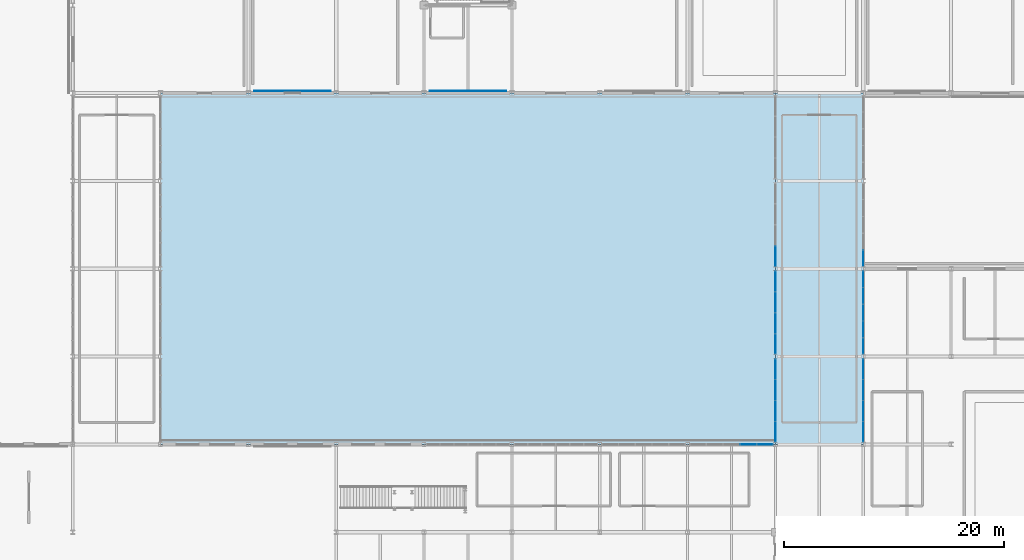
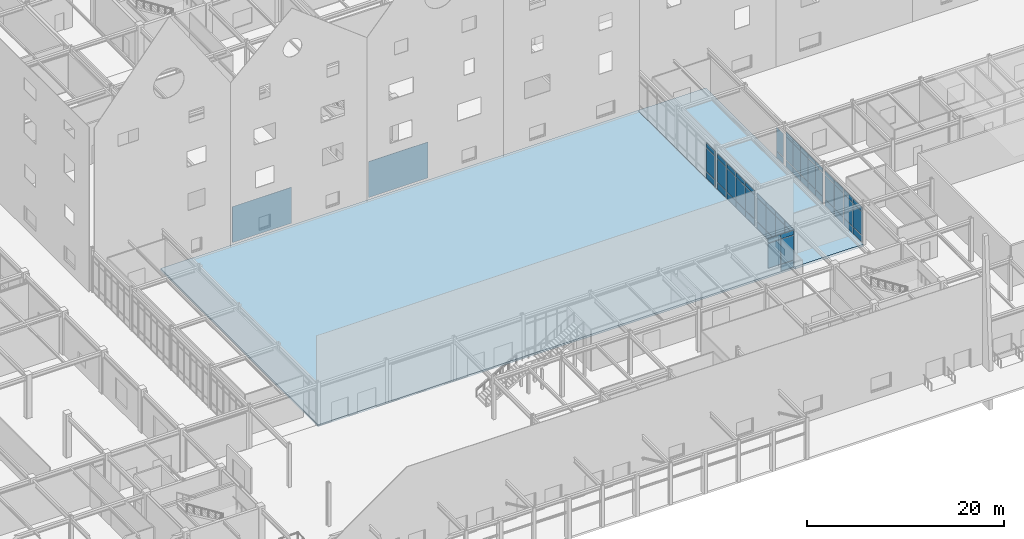
# One storey, part 61 of 119: 63 plates, 2 slabs, 7 elements without a shape of their own.
"""IFC4 building model written with IfcOpenShell, lengths in metres."""

from ifc_helpers import new_model, si_unit, direction, frame, origin, origin_2d, place, context, subcontext, project, spatial, polyline, rectangle, outline, extrude, material, layer, layer_set, type_object, element, aggregate, save


model = new_model("IFC4")

# Units and contexts
model_context = context("Model", 3, precision=1e-05, world=origin(), true_north=direction((0.0, 1.0)))
body_context = subcontext(model_context, "Body", "Model", "MODEL_VIEW")
ifc_project = project(units=[si_unit("LENGTHUNIT", "METRE"), si_unit("AREAUNIT", "SQUARE_METRE"), si_unit("VOLUMEUNIT", "CUBIC_METRE"), si_unit("PLANEANGLEUNIT", "RADIAN"), si_unit("MASSUNIT", "GRAM", prefix="KILO")], contexts=[model_context])

# Site, building, storey
site_placement = place(None, origin())
site = spatial("IfcSite", under=ifc_project, at=site_placement, CompositionType="ELEMENT")
building_placement = place(site_placement, origin())
building = spatial("IfcBuilding", under=site, at=building_placement, Name="Zhaolan Boulevard Law Courts", CompositionType="ELEMENT")
storey_placement = place(building_placement, origin())
storey = spatial("IfcBuildingStorey", under=building, at=storey_placement, Name="L00", CompositionType="ELEMENT", Elevation=0.0)

# Curtain wall, plates
ifc_material_1 = material(Name="Thermally broken aluminium and low-E glazing", Category="aluminium")
curtain_wall_type_1 = type_object("IfcCurtainWallType", Name="CURTAIN WALL M8", PredefinedType="USERDEFINED", material=ifc_material_1)
curtain_wall_1_placement = place(storey_placement, origin())
curtain_wall_1 = element("IfcCurtainWall", 1, at=curtain_wall_1_placement, inside=storey, type_object=curtain_wall_type_1, Name="Curtain Wall CW-L00-008", ObjectType="CURTAIN WALL", PredefinedType="USERDEFINED")
ifc_material_2 = material(Name="Acoustic laminated low-E glazing", Category="glass")
ifc_layer_1 = layer(ifc_material_2, 0.031982421875)
ifc_layer_set_1 = layer_set([ifc_layer_1])
plate_type_1 = type_object("IfcPlateType", Name="CWPANEL LOW E32", PredefinedType="CURTAIN_PANEL", material=ifc_layer_set_1)
plate_1_placement = place(storey_placement, frame((115.042236328125, 30.0, 0.06494140625), z_axis=(0.0, 0.0, 1.0), x_axis=(-1.0, 0.0, 0.0)))
plate_1 = element("IfcPlate", 2, at=plate_1_placement, type_object=plate_type_1, Name="CW-L00-008 panel 1.1", PredefinedType="CURTAIN_PANEL", context=body_context, shape_type="SweptSolid", body=[
    extrude(rectangle(XDim=1.431640625, YDim=0.031982421875, at=origin_2d()), origin(), (0.0, 0.0, 1.0), 0.802490234375),
])
plate_2_placement = place(storey_placement, frame((115.042236328125, 30.0, 0.9326171875), z_axis=(0.0, 0.0, 1.0), x_axis=(-1.0, 0.0, 0.0)))
plate_2 = element("IfcPlate", 3, at=plate_2_placement, type_object=plate_type_1, Name="CW-L00-008 panel 1.2", PredefinedType="CURTAIN_PANEL", context=body_context, shape_type="SweptSolid", body=[
    extrude(rectangle(XDim=1.431640625, YDim=0.031982421875, at=origin_2d()), origin(), (0.0, 0.0, 1.0), 3.068115234375),
])
plate_3_placement = place(storey_placement, frame((115.042236328125, 30.0, 4.0654296875), z_axis=(0.0, 0.0, 1.0), x_axis=(-1.0, 0.0, 0.0)))
plate_3 = element("IfcPlate", 4, at=plate_3_placement, type_object=plate_type_1, Name="CW-L00-008 panel 1.3", PredefinedType="CURTAIN_PANEL", context=body_context, shape_type="SweptSolid", body=[
    extrude(rectangle(XDim=1.431640625, YDim=0.031982421875, at=origin_2d()), origin(), (0.0, 0.0, 1.0), 0.552490234375),
])
plate_4_placement = place(storey_placement, frame((113.529296875, 30.0, 0.9326171875), z_axis=(0.0, 0.0, 1.0), x_axis=(-1.0, 0.0, 0.0)))
plate_4 = element("IfcPlate", 5, at=plate_4_placement, type_object=plate_type_1, Name="CW-L00-008 panel 2.2", PredefinedType="CURTAIN_PANEL", context=body_context, shape_type="SweptSolid", body=[
    extrude(rectangle(XDim=1.464111328125, YDim=0.031982421875, at=origin_2d()), origin(), (0.0, 0.0, 1.0), 3.068115234375),
])
plate_5_placement = place(storey_placement, frame((113.529296875, 30.0, 4.0654296875), z_axis=(0.0, 0.0, 1.0), x_axis=(-1.0, 0.0, 0.0)))
plate_5 = element("IfcPlate", 6, at=plate_5_placement, type_object=plate_type_1, Name="CW-L00-008 panel 2.3", PredefinedType="CURTAIN_PANEL", context=body_context, shape_type="SweptSolid", body=[
    extrude(rectangle(XDim=1.464111328125, YDim=0.031982421875, at=origin_2d()), origin(), (0.0, 0.0, 1.0), 0.552490234375),
])
aggregate(curtain_wall_1, [plate_1, plate_2, plate_3, plate_4, plate_5])

ifc_material_3 = material(Name="Thermally broken aluminium and low-E glazing", Category="aluminium")
curtain_wall_type_2 = type_object("IfcCurtainWallType", Name="CURTAIN WALL M20", PredefinedType="USERDEFINED", material=ifc_material_3)
curtain_wall_2_placement = place(storey_placement, origin())
curtain_wall_2 = element("IfcCurtainWall", 7, at=curtain_wall_2_placement, inside=storey, type_object=curtain_wall_type_2, Name="Curtain Wall CW-L00-020", ObjectType="CURTAIN WALL", PredefinedType="USERDEFINED")
plate_6_placement = place(storey_placement, frame((116.0, 36.85107421875, 0.06494140625), z_axis=(0.0, 0.0, 1.0), x_axis=(0.0, -1.0, 0.0)))
plate_6 = element("IfcPlate", 8, at=plate_6_placement, type_object=plate_type_1, Name="CW-L00-020 panel 1.1", PredefinedType="CURTAIN_PANEL", context=body_context, shape_type="SweptSolid", body=[
    extrude(rectangle(XDim=1.81396484375, YDim=0.031982421875, at=origin_2d()), origin(), (0.0, 0.0, 1.0), 0.802490234375),
])
plate_7_placement = place(storey_placement, frame((116.0, 36.85107421875, 0.9326171875), z_axis=(0.0, 0.0, 1.0), x_axis=(0.0, -1.0, 0.0)))
plate_7 = element("IfcPlate", 9, at=plate_7_placement, type_object=plate_type_1, Name="CW-L00-020 panel 1.2", PredefinedType="CURTAIN_PANEL", context=body_context, shape_type="SweptSolid", body=[
    extrude(rectangle(XDim=1.81396484375, YDim=0.031982421875, at=origin_2d()), origin(), (0.0, 0.0, 1.0), 2.91796875),
])
plate_8_placement = place(storey_placement, frame((116.0, 36.85107421875, 3.91552734375), z_axis=(0.0, 0.0, 1.0), x_axis=(0.0, -1.0, 0.0)))
plate_8 = element("IfcPlate", 10, at=plate_8_placement, type_object=plate_type_1, Name="CW-L00-020 panel 1.3", PredefinedType="CURTAIN_PANEL", context=body_context, shape_type="SweptSolid", body=[
    extrude(rectangle(XDim=1.81396484375, YDim=0.031982421875, at=origin_2d()), origin(), (0.0, 0.0, 1.0), 0.552490234375),
])
plate_9_placement = place(storey_placement, frame((116.0, 34.955810546875, 0.06494140625), z_axis=(0.0, 0.0, 1.0), x_axis=(0.0, -1.0, 0.0)))
plate_9 = element("IfcPlate", 11, at=plate_9_placement, type_object=plate_type_1, Name="CW-L00-020 panel 2.1", PredefinedType="CURTAIN_PANEL", context=body_context, shape_type="SweptSolid", body=[
    extrude(rectangle(XDim=1.846435546875, YDim=0.031982421875, at=origin_2d()), origin(), (0.0, 0.0, 1.0), 0.802490234375),
])
plate_10_placement = place(storey_placement, frame((116.0, 34.955810546875, 0.9326171875), z_axis=(0.0, 0.0, 1.0), x_axis=(0.0, -1.0, 0.0)))
plate_10 = element("IfcPlate", 12, at=plate_10_placement, type_object=plate_type_1, Name="CW-L00-020 panel 2.2", PredefinedType="CURTAIN_PANEL", context=body_context, shape_type="SweptSolid", body=[
    extrude(rectangle(XDim=1.846435546875, YDim=0.031982421875, at=origin_2d()), origin(), (0.0, 0.0, 1.0), 2.91796875),
])
plate_11_placement = place(storey_placement, frame((116.0, 34.955810546875, 3.91552734375), z_axis=(0.0, 0.0, 1.0), x_axis=(0.0, -1.0, 0.0)))
plate_11 = element("IfcPlate", 13, at=plate_11_placement, type_object=plate_type_1, Name="CW-L00-020 panel 2.3", PredefinedType="CURTAIN_PANEL", context=body_context, shape_type="SweptSolid", body=[
    extrude(rectangle(XDim=1.846435546875, YDim=0.031982421875, at=origin_2d()), origin(), (0.0, 0.0, 1.0), 0.552490234375),
])
plate_12_placement = place(storey_placement, frame((116.0, 33.044189453125, 0.06494140625), z_axis=(0.0, 0.0, 1.0), x_axis=(0.0, -1.0, 0.0)))
plate_12 = element("IfcPlate", 14, at=plate_12_placement, type_object=plate_type_1, Name="CW-L00-020 panel 3.1", PredefinedType="CURTAIN_PANEL", context=body_context, shape_type="SweptSolid", body=[
    extrude(rectangle(XDim=1.846435546875, YDim=0.031982421875, at=origin_2d()), origin(), (0.0, 0.0, 1.0), 0.802490234375),
])
plate_13_placement = place(storey_placement, frame((116.0, 33.044189453125, 0.9326171875), z_axis=(0.0, 0.0, 1.0), x_axis=(0.0, -1.0, 0.0)))
plate_13 = element("IfcPlate", 15, at=plate_13_placement, type_object=plate_type_1, Name="CW-L00-020 panel 3.2", PredefinedType="CURTAIN_PANEL", context=body_context, shape_type="SweptSolid", body=[
    extrude(rectangle(XDim=1.846435546875, YDim=0.031982421875, at=origin_2d()), origin(), (0.0, 0.0, 1.0), 2.91796875),
])
plate_14_placement = place(storey_placement, frame((116.0, 33.044189453125, 3.91552734375), z_axis=(0.0, 0.0, 1.0), x_axis=(0.0, -1.0, 0.0)))
plate_14 = element("IfcPlate", 16, at=plate_14_placement, type_object=plate_type_1, Name="CW-L00-020 panel 3.3", PredefinedType="CURTAIN_PANEL", context=body_context, shape_type="SweptSolid", body=[
    extrude(rectangle(XDim=1.846435546875, YDim=0.031982421875, at=origin_2d()), origin(), (0.0, 0.0, 1.0), 0.552490234375),
])
plate_15_placement = place(storey_placement, frame((116.0, 31.14892578125, 0.06494140625), z_axis=(0.0, 0.0, 1.0), x_axis=(0.0, -1.0, 0.0)))
plate_15 = element("IfcPlate", 17, at=plate_15_placement, type_object=plate_type_1, Name="CW-L00-020 panel 4.1", PredefinedType="CURTAIN_PANEL", context=body_context, shape_type="SweptSolid", body=[
    extrude(rectangle(XDim=1.81396484375, YDim=0.031982421875, at=origin_2d()), origin(), (0.0, 0.0, 1.0), 0.802490234375),
])
plate_16_placement = place(storey_placement, frame((116.0, 31.14892578125, 0.9326171875), z_axis=(0.0, 0.0, 1.0), x_axis=(0.0, -1.0, 0.0)))
plate_16 = element("IfcPlate", 18, at=plate_16_placement, type_object=plate_type_1, Name="CW-L00-020 panel 4.2", PredefinedType="CURTAIN_PANEL", context=body_context, shape_type="SweptSolid", body=[
    extrude(rectangle(XDim=1.81396484375, YDim=0.031982421875, at=origin_2d()), origin(), (0.0, 0.0, 1.0), 2.91796875),
])
plate_17_placement = place(storey_placement, frame((116.0, 31.14892578125, 3.91552734375), z_axis=(0.0, 0.0, 1.0), x_axis=(0.0, -1.0, 0.0)))
plate_17 = element("IfcPlate", 19, at=plate_17_placement, type_object=plate_type_1, Name="CW-L00-020 panel 4.3", PredefinedType="CURTAIN_PANEL", context=body_context, shape_type="SweptSolid", body=[
    extrude(rectangle(XDim=1.81396484375, YDim=0.031982421875, at=origin_2d()), origin(), (0.0, 0.0, 1.0), 0.552490234375),
])
aggregate(curtain_wall_2, [plate_6, plate_7, plate_8, plate_9, plate_10, plate_11, plate_12, plate_13, plate_14, plate_15, plate_16, plate_17])

ifc_material_4 = material(Name="Thermally broken aluminium and low-E glazing", Category="aluminium")
curtain_wall_type_3 = type_object("IfcCurtainWallType", Name="CURTAIN WALL M21", PredefinedType="USERDEFINED", material=ifc_material_4)
curtain_wall_3_placement = place(storey_placement, origin())
curtain_wall_3 = element("IfcCurtainWall", 20, at=curtain_wall_3_placement, inside=storey, type_object=curtain_wall_type_3, Name="Curtain Wall CW-L00-021", ObjectType="CURTAIN WALL", PredefinedType="USERDEFINED")
plate_18_placement = place(storey_placement, frame((116.0, 44.85107421875, 0.06494140625), z_axis=(0.0, 0.0, 1.0), x_axis=(0.0, -1.0, 0.0)))
plate_18 = element("IfcPlate", 21, at=plate_18_placement, type_object=plate_type_1, Name="CW-L00-021 panel 1.1", PredefinedType="CURTAIN_PANEL", context=body_context, shape_type="SweptSolid", body=[
    extrude(rectangle(XDim=1.81396484375, YDim=0.031982421875, at=origin_2d()), origin(), (0.0, 0.0, 1.0), 0.802490234375),
])
plate_19_placement = place(storey_placement, frame((116.0, 44.85107421875, 0.9326171875), z_axis=(0.0, 0.0, 1.0), x_axis=(0.0, -1.0, 0.0)))
plate_19 = element("IfcPlate", 22, at=plate_19_placement, type_object=plate_type_1, Name="CW-L00-021 panel 1.2", PredefinedType="CURTAIN_PANEL", context=body_context, shape_type="SweptSolid", body=[
    extrude(rectangle(XDim=1.81396484375, YDim=0.031982421875, at=origin_2d()), origin(), (0.0, 0.0, 1.0), 2.91796875),
])
plate_20_placement = place(storey_placement, frame((116.0, 44.85107421875, 3.91552734375), z_axis=(0.0, 0.0, 1.0), x_axis=(0.0, -1.0, 0.0)))
plate_20 = element("IfcPlate", 23, at=plate_20_placement, type_object=plate_type_1, Name="CW-L00-021 panel 1.3", PredefinedType="CURTAIN_PANEL", context=body_context, shape_type="SweptSolid", body=[
    extrude(rectangle(XDim=1.81396484375, YDim=0.031982421875, at=origin_2d()), origin(), (0.0, 0.0, 1.0), 0.552490234375),
])
plate_21_placement = place(storey_placement, frame((116.0, 42.955810546875, 0.06494140625), z_axis=(0.0, 0.0, 1.0), x_axis=(0.0, -1.0, 0.0)))
plate_21 = element("IfcPlate", 24, at=plate_21_placement, type_object=plate_type_1, Name="CW-L00-021 panel 2.1", PredefinedType="CURTAIN_PANEL", context=body_context, shape_type="SweptSolid", body=[
    extrude(rectangle(XDim=1.846435546875, YDim=0.031982421875, at=origin_2d()), origin(), (0.0, 0.0, 1.0), 0.802490234375),
])
plate_22_placement = place(storey_placement, frame((116.0, 42.955810546875, 0.9326171875), z_axis=(0.0, 0.0, 1.0), x_axis=(0.0, -1.0, 0.0)))
plate_22 = element("IfcPlate", 25, at=plate_22_placement, type_object=plate_type_1, Name="CW-L00-021 panel 2.2", PredefinedType="CURTAIN_PANEL", context=body_context, shape_type="SweptSolid", body=[
    extrude(rectangle(XDim=1.846435546875, YDim=0.031982421875, at=origin_2d()), origin(), (0.0, 0.0, 1.0), 2.91796875),
])
plate_23_placement = place(storey_placement, frame((116.0, 42.955810546875, 3.91552734375), z_axis=(0.0, 0.0, 1.0), x_axis=(0.0, -1.0, 0.0)))
plate_23 = element("IfcPlate", 26, at=plate_23_placement, type_object=plate_type_1, Name="CW-L00-021 panel 2.3", PredefinedType="CURTAIN_PANEL", context=body_context, shape_type="SweptSolid", body=[
    extrude(rectangle(XDim=1.846435546875, YDim=0.031982421875, at=origin_2d()), origin(), (0.0, 0.0, 1.0), 0.552490234375),
])
plate_24_placement = place(storey_placement, frame((116.0, 41.044189453125, 0.06494140625), z_axis=(0.0, 0.0, 1.0), x_axis=(0.0, -1.0, 0.0)))
plate_24 = element("IfcPlate", 27, at=plate_24_placement, type_object=plate_type_1, Name="CW-L00-021 panel 3.1", PredefinedType="CURTAIN_PANEL", context=body_context, shape_type="SweptSolid", body=[
    extrude(rectangle(XDim=1.846435546875, YDim=0.031982421875, at=origin_2d()), origin(), (0.0, 0.0, 1.0), 0.802490234375),
])
plate_25_placement = place(storey_placement, frame((116.0, 41.044189453125, 0.9326171875), z_axis=(0.0, 0.0, 1.0), x_axis=(0.0, -1.0, 0.0)))
plate_25 = element("IfcPlate", 28, at=plate_25_placement, type_object=plate_type_1, Name="CW-L00-021 panel 3.2", PredefinedType="CURTAIN_PANEL", context=body_context, shape_type="SweptSolid", body=[
    extrude(rectangle(XDim=1.846435546875, YDim=0.031982421875, at=origin_2d()), origin(), (0.0, 0.0, 1.0), 2.91796875),
])
plate_26_placement = place(storey_placement, frame((116.0, 41.044189453125, 3.91552734375), z_axis=(0.0, 0.0, 1.0), x_axis=(0.0, -1.0, 0.0)))
plate_26 = element("IfcPlate", 29, at=plate_26_placement, type_object=plate_type_1, Name="CW-L00-021 panel 3.3", PredefinedType="CURTAIN_PANEL", context=body_context, shape_type="SweptSolid", body=[
    extrude(rectangle(XDim=1.846435546875, YDim=0.031982421875, at=origin_2d()), origin(), (0.0, 0.0, 1.0), 0.552490234375),
])
plate_27_placement = place(storey_placement, frame((116.0, 39.14892578125, 0.06494140625), z_axis=(0.0, 0.0, 1.0), x_axis=(0.0, -1.0, 0.0)))
plate_27 = element("IfcPlate", 30, at=plate_27_placement, type_object=plate_type_1, Name="CW-L00-021 panel 4.1", PredefinedType="CURTAIN_PANEL", context=body_context, shape_type="SweptSolid", body=[
    extrude(rectangle(XDim=1.81396484375, YDim=0.031982421875, at=origin_2d()), origin(), (0.0, 0.0, 1.0), 0.802490234375),
])
plate_28_placement = place(storey_placement, frame((116.0, 39.14892578125, 0.9326171875), z_axis=(0.0, 0.0, 1.0), x_axis=(0.0, -1.0, 0.0)))
plate_28 = element("IfcPlate", 31, at=plate_28_placement, type_object=plate_type_1, Name="CW-L00-021 panel 4.2", PredefinedType="CURTAIN_PANEL", context=body_context, shape_type="SweptSolid", body=[
    extrude(rectangle(XDim=1.81396484375, YDim=0.031982421875, at=origin_2d()), origin(), (0.0, 0.0, 1.0), 2.91796875),
])
plate_29_placement = place(storey_placement, frame((116.0, 39.14892578125, 3.91552734375), z_axis=(0.0, 0.0, 1.0), x_axis=(0.0, -1.0, 0.0)))
plate_29 = element("IfcPlate", 32, at=plate_29_placement, type_object=plate_type_1, Name="CW-L00-021 panel 4.3", PredefinedType="CURTAIN_PANEL", context=body_context, shape_type="SweptSolid", body=[
    extrude(rectangle(XDim=1.81396484375, YDim=0.031982421875, at=origin_2d()), origin(), (0.0, 0.0, 1.0), 0.552490234375),
])
aggregate(curtain_wall_3, [plate_18, plate_19, plate_20, plate_21, plate_22, plate_23, plate_24, plate_25, plate_26, plate_27, plate_28, plate_29])

ifc_material_5 = material(Name="Thermally broken aluminium and low-E glazing", Category="aluminium")
curtain_wall_type_4 = type_object("IfcCurtainWallType", Name="CURTAIN WALL M22", PredefinedType="USERDEFINED", material=ifc_material_5)
curtain_wall_4_placement = place(storey_placement, origin())
curtain_wall_4 = element("IfcCurtainWall", 33, at=curtain_wall_4_placement, inside=storey, type_object=curtain_wall_type_4, Name="Curtain Wall CW-L00-022", ObjectType="CURTAIN WALL", PredefinedType="USERDEFINED")
plate_30_placement = place(storey_placement, frame((116.0, 47.14892578125, 0.06494140625), z_axis=(0.0, 0.0, 1.0), x_axis=(0.0, -1.0, 0.0)))
plate_30 = element("IfcPlate", 34, at=plate_30_placement, type_object=plate_type_1, Name="CW-L00-022 panel 4.1", PredefinedType="CURTAIN_PANEL", context=body_context, shape_type="SweptSolid", body=[
    extrude(rectangle(XDim=1.81396484375, YDim=0.031982421875, at=origin_2d()), origin(), (0.0, 0.0, 1.0), 0.802490234375),
])
plate_31_placement = place(storey_placement, frame((116.0, 47.14892578125, 0.9326171875), z_axis=(0.0, 0.0, 1.0), x_axis=(0.0, -1.0, 0.0)))
plate_31 = element("IfcPlate", 35, at=plate_31_placement, type_object=plate_type_1, Name="CW-L00-022 panel 4.2", PredefinedType="CURTAIN_PANEL", context=body_context, shape_type="SweptSolid", body=[
    extrude(rectangle(XDim=1.81396484375, YDim=0.031982421875, at=origin_2d()), origin(), (0.0, 0.0, 1.0), 2.91796875),
])
plate_32_placement = place(storey_placement, frame((116.0, 47.14892578125, 3.91552734375), z_axis=(0.0, 0.0, 1.0), x_axis=(0.0, -1.0, 0.0)))
plate_32 = element("IfcPlate", 36, at=plate_32_placement, type_object=plate_type_1, Name="CW-L00-022 panel 4.3", PredefinedType="CURTAIN_PANEL", context=body_context, shape_type="SweptSolid", body=[
    extrude(rectangle(XDim=1.81396484375, YDim=0.031982421875, at=origin_2d()), origin(), (0.0, 0.0, 1.0), 0.552490234375),
])
aggregate(curtain_wall_4, [plate_30, plate_31, plate_32])

ifc_material_6 = material(Name="Thermally broken aluminium and low-E glazing", Category="aluminium")
curtain_wall_type_5 = type_object("IfcCurtainWallType", Name="CURTAIN WALL M24", PredefinedType="USERDEFINED", material=ifc_material_6)
curtain_wall_5_placement = place(storey_placement, origin())
curtain_wall_5 = element("IfcCurtainWall", 37, at=curtain_wall_5_placement, inside=storey, type_object=curtain_wall_type_5, Name="Curtain Wall CW-L00-024", ObjectType="CURTAIN WALL", PredefinedType="USERDEFINED")
plate_33_placement = place(storey_placement, frame((124.0, 31.14892578125, 0.06494140625), z_axis=(0.0, 0.0, 1.0), x_axis=(0.0, 1.0, 0.0)))
plate_33 = element("IfcPlate", 38, at=plate_33_placement, type_object=plate_type_1, Name="CW-L00-024 panel 1.1", PredefinedType="CURTAIN_PANEL", context=body_context, shape_type="SweptSolid", body=[
    extrude(rectangle(XDim=1.81396484375, YDim=0.031982421875, at=origin_2d()), origin(), (0.0, 0.0, 1.0), 0.802490234375),
])
plate_34_placement = place(storey_placement, frame((124.0, 31.14892578125, 0.9326171875), z_axis=(0.0, 0.0, 1.0), x_axis=(0.0, 1.0, 0.0)))
plate_34 = element("IfcPlate", 39, at=plate_34_placement, type_object=plate_type_1, Name="CW-L00-024 panel 1.2", PredefinedType="CURTAIN_PANEL", context=body_context, shape_type="SweptSolid", body=[
    extrude(rectangle(XDim=1.81396484375, YDim=0.031982421875, at=origin_2d()), origin(), (0.0, 0.0, 1.0), 2.887939453125),
])
plate_35_placement = place(storey_placement, frame((124.0, 31.14892578125, 3.8857421875), z_axis=(0.0, 0.0, 1.0), x_axis=(0.0, 1.0, 0.0)))
plate_35 = element("IfcPlate", 40, at=plate_35_placement, type_object=plate_type_1, Name="CW-L00-024 panel 1.3", PredefinedType="CURTAIN_PANEL", context=body_context, shape_type="SweptSolid", body=[
    extrude(rectangle(XDim=1.81396484375, YDim=0.031982421875, at=origin_2d()), origin(), (0.0, 0.0, 1.0), 0.552490234375),
])
plate_36_placement = place(storey_placement, frame((124.0, 33.044189453125, 0.06494140625), z_axis=(0.0, 0.0, 1.0), x_axis=(0.0, 1.0, 0.0)))
plate_36 = element("IfcPlate", 41, at=plate_36_placement, type_object=plate_type_1, Name="CW-L00-024 panel 2.1", PredefinedType="CURTAIN_PANEL", context=body_context, shape_type="SweptSolid", body=[
    extrude(rectangle(XDim=1.846435546875, YDim=0.031982421875, at=origin_2d()), origin(), (0.0, 0.0, 1.0), 0.802490234375),
])
plate_37_placement = place(storey_placement, frame((124.0, 33.044189453125, 0.9326171875), z_axis=(0.0, 0.0, 1.0), x_axis=(0.0, 1.0, 0.0)))
plate_37 = element("IfcPlate", 42, at=plate_37_placement, type_object=plate_type_1, Name="CW-L00-024 panel 2.2", PredefinedType="CURTAIN_PANEL", context=body_context, shape_type="SweptSolid", body=[
    extrude(rectangle(XDim=1.846435546875, YDim=0.031982421875, at=origin_2d()), origin(), (0.0, 0.0, 1.0), 2.887939453125),
])
plate_38_placement = place(storey_placement, frame((124.0, 33.044189453125, 3.8857421875), z_axis=(0.0, 0.0, 1.0), x_axis=(0.0, 1.0, 0.0)))
plate_38 = element("IfcPlate", 43, at=plate_38_placement, type_object=plate_type_1, Name="CW-L00-024 panel 2.3", PredefinedType="CURTAIN_PANEL", context=body_context, shape_type="SweptSolid", body=[
    extrude(rectangle(XDim=1.846435546875, YDim=0.031982421875, at=origin_2d()), origin(), (0.0, 0.0, 1.0), 0.552490234375),
])
plate_39_placement = place(storey_placement, frame((124.0, 34.955810546875, 0.06494140625), z_axis=(0.0, 0.0, 1.0), x_axis=(0.0, 1.0, 0.0)))
plate_39 = element("IfcPlate", 44, at=plate_39_placement, type_object=plate_type_1, Name="CW-L00-024 panel 3.1", PredefinedType="CURTAIN_PANEL", context=body_context, shape_type="SweptSolid", body=[
    extrude(rectangle(XDim=1.846435546875, YDim=0.031982421875, at=origin_2d()), origin(), (0.0, 0.0, 1.0), 0.802490234375),
])
plate_40_placement = place(storey_placement, frame((124.0, 34.955810546875, 0.9326171875), z_axis=(0.0, 0.0, 1.0), x_axis=(0.0, 1.0, 0.0)))
plate_40 = element("IfcPlate", 45, at=plate_40_placement, type_object=plate_type_1, Name="CW-L00-024 panel 3.2", PredefinedType="CURTAIN_PANEL", context=body_context, shape_type="SweptSolid", body=[
    extrude(rectangle(XDim=1.846435546875, YDim=0.031982421875, at=origin_2d()), origin(), (0.0, 0.0, 1.0), 2.887939453125),
])
plate_41_placement = place(storey_placement, frame((124.0, 34.955810546875, 3.8857421875), z_axis=(0.0, 0.0, 1.0), x_axis=(0.0, 1.0, 0.0)))
plate_41 = element("IfcPlate", 46, at=plate_41_placement, type_object=plate_type_1, Name="CW-L00-024 panel 3.3", PredefinedType="CURTAIN_PANEL", context=body_context, shape_type="SweptSolid", body=[
    extrude(rectangle(XDim=1.846435546875, YDim=0.031982421875, at=origin_2d()), origin(), (0.0, 0.0, 1.0), 0.552490234375),
])
plate_42_placement = place(storey_placement, frame((124.0, 36.85107421875, 0.06494140625), z_axis=(0.0, 0.0, 1.0), x_axis=(0.0, 1.0, 0.0)))
plate_42 = element("IfcPlate", 47, at=plate_42_placement, type_object=plate_type_1, Name="CW-L00-024 panel 4.1", PredefinedType="CURTAIN_PANEL", context=body_context, shape_type="SweptSolid", body=[
    extrude(rectangle(XDim=1.81396484375, YDim=0.031982421875, at=origin_2d()), origin(), (0.0, 0.0, 1.0), 0.802490234375),
])
plate_43_placement = place(storey_placement, frame((124.0, 36.85107421875, 0.9326171875), z_axis=(0.0, 0.0, 1.0), x_axis=(0.0, 1.0, 0.0)))
plate_43 = element("IfcPlate", 48, at=plate_43_placement, type_object=plate_type_1, Name="CW-L00-024 panel 4.2", PredefinedType="CURTAIN_PANEL", context=body_context, shape_type="SweptSolid", body=[
    extrude(rectangle(XDim=1.81396484375, YDim=0.031982421875, at=origin_2d()), origin(), (0.0, 0.0, 1.0), 2.887939453125),
])
plate_44_placement = place(storey_placement, frame((124.0, 36.85107421875, 3.8857421875), z_axis=(0.0, 0.0, 1.0), x_axis=(0.0, 1.0, 0.0)))
plate_44 = element("IfcPlate", 49, at=plate_44_placement, type_object=plate_type_1, Name="CW-L00-024 panel 4.3", PredefinedType="CURTAIN_PANEL", context=body_context, shape_type="SweptSolid", body=[
    extrude(rectangle(XDim=1.81396484375, YDim=0.031982421875, at=origin_2d()), origin(), (0.0, 0.0, 1.0), 0.552490234375),
])
aggregate(curtain_wall_5, [plate_33, plate_34, plate_35, plate_36, plate_37, plate_38, plate_39, plate_40, plate_41, plate_42, plate_43, plate_44])

ifc_material_7 = material(Name="Thermally broken aluminium and low-E glazing", Category="aluminium")
curtain_wall_type_6 = type_object("IfcCurtainWallType", Name="CURTAIN WALL M1", PredefinedType="USERDEFINED", material=ifc_material_7)
curtain_wall_6_placement = place(storey_placement, origin())
curtain_wall_6 = element("IfcCurtainWall", 50, at=curtain_wall_6_placement, inside=storey, type_object=curtain_wall_type_6, Name="Curtain Wall CW-L00-025", ObjectType="CURTAIN WALL", PredefinedType="USERDEFINED")
plate_45_placement = place(storey_placement, frame((124.0, 38.957763671875, 0.06494140625), z_axis=(0.0, 0.0, 1.0), x_axis=(0.0, 1.0, 0.0)))
plate_45 = element("IfcPlate", 51, at=plate_45_placement, type_object=plate_type_1, Name="CW-L00-025 panel 1.1", PredefinedType="CURTAIN_PANEL", context=body_context, shape_type="SweptSolid", body=[
    extrude(rectangle(XDim=1.431640625, YDim=0.031982421875, at=origin_2d()), origin(), (0.0, 0.0, 1.0), 0.802490234375),
])
plate_46_placement = place(storey_placement, frame((124.0, 38.957763671875, 0.9326171875), z_axis=(0.0, 0.0, 1.0), x_axis=(0.0, 1.0, 0.0)))
plate_46 = element("IfcPlate", 52, at=plate_46_placement, type_object=plate_type_1, Name="CW-L00-025 panel 1.2", PredefinedType="CURTAIN_PANEL", context=body_context, shape_type="SweptSolid", body=[
    extrude(rectangle(XDim=1.431640625, YDim=0.031982421875, at=origin_2d()), origin(), (0.0, 0.0, 1.0), 2.887939453125),
])
plate_47_placement = place(storey_placement, frame((124.0, 38.957763671875, 3.8857421875), z_axis=(0.0, 0.0, 1.0), x_axis=(0.0, 1.0, 0.0)))
plate_47 = element("IfcPlate", 53, at=plate_47_placement, type_object=plate_type_1, Name="CW-L00-025 panel 1.3", PredefinedType="CURTAIN_PANEL", context=body_context, shape_type="SweptSolid", body=[
    extrude(rectangle(XDim=1.431640625, YDim=0.031982421875, at=origin_2d()), origin(), (0.0, 0.0, 1.0), 0.552490234375),
])
plate_48_placement = place(storey_placement, frame((124.0, 40.470703125, 0.06494140625), z_axis=(0.0, 0.0, 1.0), x_axis=(0.0, 1.0, 0.0)))
plate_48 = element("IfcPlate", 54, at=plate_48_placement, type_object=plate_type_1, Name="CW-L00-025 panel 2.1", PredefinedType="CURTAIN_PANEL", context=body_context, shape_type="SweptSolid", body=[
    extrude(rectangle(XDim=1.464111328125, YDim=0.031982421875, at=origin_2d()), origin(), (0.0, 0.0, 1.0), 0.802490234375),
])
plate_49_placement = place(storey_placement, frame((124.0, 40.470703125, 0.9326171875), z_axis=(0.0, 0.0, 1.0), x_axis=(0.0, 1.0, 0.0)))
plate_49 = element("IfcPlate", 55, at=plate_49_placement, type_object=plate_type_1, Name="CW-L00-025 panel 2.2", PredefinedType="CURTAIN_PANEL", context=body_context, shape_type="SweptSolid", body=[
    extrude(rectangle(XDim=1.464111328125, YDim=0.031982421875, at=origin_2d()), origin(), (0.0, 0.0, 1.0), 2.887939453125),
])
plate_50_placement = place(storey_placement, frame((124.0, 40.470703125, 3.8857421875), z_axis=(0.0, 0.0, 1.0), x_axis=(0.0, 1.0, 0.0)))
plate_50 = element("IfcPlate", 56, at=plate_50_placement, type_object=plate_type_1, Name="CW-L00-025 panel 2.3", PredefinedType="CURTAIN_PANEL", context=body_context, shape_type="SweptSolid", body=[
    extrude(rectangle(XDim=1.464111328125, YDim=0.031982421875, at=origin_2d()), origin(), (0.0, 0.0, 1.0), 0.552490234375),
])
plate_51_placement = place(storey_placement, frame((124.0, 42.0, 0.06494140625), z_axis=(0.0, 0.0, 1.0), x_axis=(0.0, 1.0, 0.0)))
plate_51 = element("IfcPlate", 57, at=plate_51_placement, type_object=plate_type_1, Name="CW-L00-025 panel 3.1", PredefinedType="CURTAIN_PANEL", context=body_context, shape_type="SweptSolid", body=[
    extrude(rectangle(XDim=1.464111328125, YDim=0.031982421875, at=origin_2d()), origin(), (0.0, 0.0, 1.0), 0.802490234375),
])
plate_52_placement = place(storey_placement, frame((124.0, 42.0, 0.9326171875), z_axis=(0.0, 0.0, 1.0), x_axis=(0.0, 1.0, 0.0)))
plate_52 = element("IfcPlate", 58, at=plate_52_placement, type_object=plate_type_1, Name="CW-L00-025 panel 3.2", PredefinedType="CURTAIN_PANEL", context=body_context, shape_type="SweptSolid", body=[
    extrude(rectangle(XDim=1.464111328125, YDim=0.031982421875, at=origin_2d()), origin(), (0.0, 0.0, 1.0), 2.887939453125),
])
plate_53_placement = place(storey_placement, frame((124.0, 42.0, 3.8857421875), z_axis=(0.0, 0.0, 1.0), x_axis=(0.0, 1.0, 0.0)))
plate_53 = element("IfcPlate", 59, at=plate_53_placement, type_object=plate_type_1, Name="CW-L00-025 panel 3.3", PredefinedType="CURTAIN_PANEL", context=body_context, shape_type="SweptSolid", body=[
    extrude(rectangle(XDim=1.464111328125, YDim=0.031982421875, at=origin_2d()), origin(), (0.0, 0.0, 1.0), 0.552490234375),
])
plate_54_placement = place(storey_placement, frame((124.0, 43.529296875, 0.06494140625), z_axis=(0.0, 0.0, 1.0), x_axis=(0.0, 1.0, 0.0)))
plate_54 = element("IfcPlate", 60, at=plate_54_placement, type_object=plate_type_1, Name="CW-L00-025 panel 4.1", PredefinedType="CURTAIN_PANEL", context=body_context, shape_type="SweptSolid", body=[
    extrude(rectangle(XDim=1.464111328125, YDim=0.031982421875, at=origin_2d()), origin(), (0.0, 0.0, 1.0), 0.802490234375),
])
plate_55_placement = place(storey_placement, frame((124.0, 43.529296875, 0.9326171875), z_axis=(0.0, 0.0, 1.0), x_axis=(0.0, 1.0, 0.0)))
plate_55 = element("IfcPlate", 61, at=plate_55_placement, type_object=plate_type_1, Name="CW-L00-025 panel 4.2", PredefinedType="CURTAIN_PANEL", context=body_context, shape_type="SweptSolid", body=[
    extrude(rectangle(XDim=1.464111328125, YDim=0.031982421875, at=origin_2d()), origin(), (0.0, 0.0, 1.0), 2.887939453125),
])
plate_56_placement = place(storey_placement, frame((124.0, 43.529296875, 3.8857421875), z_axis=(0.0, 0.0, 1.0), x_axis=(0.0, 1.0, 0.0)))
plate_56 = element("IfcPlate", 62, at=plate_56_placement, type_object=plate_type_1, Name="CW-L00-025 panel 4.3", PredefinedType="CURTAIN_PANEL", context=body_context, shape_type="SweptSolid", body=[
    extrude(rectangle(XDim=1.464111328125, YDim=0.031982421875, at=origin_2d()), origin(), (0.0, 0.0, 1.0), 0.552490234375),
])
plate_57_placement = place(storey_placement, frame((124.0, 45.042236328125, 0.06494140625), z_axis=(0.0, 0.0, 1.0), x_axis=(0.0, 1.0, 0.0)))
plate_57 = element("IfcPlate", 63, at=plate_57_placement, type_object=plate_type_1, Name="CW-L00-025 panel 5.1", PredefinedType="CURTAIN_PANEL", context=body_context, shape_type="SweptSolid", body=[
    extrude(rectangle(XDim=1.431640625, YDim=0.031982421875, at=origin_2d()), origin(), (0.0, 0.0, 1.0), 0.802490234375),
])
plate_58_placement = place(storey_placement, frame((124.0, 45.042236328125, 0.9326171875), z_axis=(0.0, 0.0, 1.0), x_axis=(0.0, 1.0, 0.0)))
plate_58 = element("IfcPlate", 64, at=plate_58_placement, type_object=plate_type_1, Name="CW-L00-025 panel 5.2", PredefinedType="CURTAIN_PANEL", context=body_context, shape_type="SweptSolid", body=[
    extrude(rectangle(XDim=1.431640625, YDim=0.031982421875, at=origin_2d()), origin(), (0.0, 0.0, 1.0), 2.887939453125),
])
plate_59_placement = place(storey_placement, frame((124.0, 45.042236328125, 3.8857421875), z_axis=(0.0, 0.0, 1.0), x_axis=(0.0, 1.0, 0.0)))
plate_59 = element("IfcPlate", 65, at=plate_59_placement, type_object=plate_type_1, Name="CW-L00-025 panel 5.3", PredefinedType="CURTAIN_PANEL", context=body_context, shape_type="SweptSolid", body=[
    extrude(rectangle(XDim=1.431640625, YDim=0.031982421875, at=origin_2d()), origin(), (0.0, 0.0, 1.0), 0.552490234375),
])
aggregate(curtain_wall_6, [plate_45, plate_46, plate_47, plate_48, plate_49, plate_50, plate_51, plate_52, plate_53, plate_54, plate_55, plate_56, plate_57, plate_58, plate_59])

ifc_material_8 = material(Name="Thermally broken aluminium and low-E glazing", Category="aluminium")
curtain_wall_type_7 = type_object("IfcCurtainWallType", Name="CURTAIN WALL M2", PredefinedType="USERDEFINED", material=ifc_material_8)
curtain_wall_7_placement = place(storey_placement, origin())
curtain_wall_7 = element("IfcCurtainWall", 66, at=curtain_wall_7_placement, inside=storey, type_object=curtain_wall_type_7, Name="Curtain Wall CW-L00-026", ObjectType="CURTAIN WALL", PredefinedType="USERDEFINED")
plate_60_placement = place(storey_placement, frame((124.0, 46.957763671875, 0.06494140625), z_axis=(0.0, 0.0, 1.0), x_axis=(0.0, 1.0, 0.0)))
plate_60 = element("IfcPlate", 67, at=plate_60_placement, type_object=plate_type_1, Name="CW-L00-026 panel 1.1", PredefinedType="CURTAIN_PANEL", context=body_context, shape_type="SweptSolid", body=[
    extrude(rectangle(XDim=1.431640625, YDim=0.031982421875, at=origin_2d()), origin(), (0.0, 0.0, 1.0), 0.802490234375),
])
plate_61_placement = place(storey_placement, frame((124.0, 46.957763671875, 0.9326171875), z_axis=(0.0, 0.0, 1.0), x_axis=(0.0, 1.0, 0.0)))
plate_61 = element("IfcPlate", 68, at=plate_61_placement, type_object=plate_type_1, Name="CW-L00-026 panel 1.2", PredefinedType="CURTAIN_PANEL", context=body_context, shape_type="SweptSolid", body=[
    extrude(rectangle(XDim=1.431640625, YDim=0.031982421875, at=origin_2d()), origin(), (0.0, 0.0, 1.0), 2.91796875),
])
aggregate(curtain_wall_7, [plate_60, plate_61])

# Slabs
ifc_material_9 = material(Name="Concrete C40", Category="concrete")
ifc_layer_2 = layer(ifc_material_9, 0.280029296875)
ifc_layer_set_2 = layer_set([ifc_layer_2])
slab_type_1 = type_object("IfcSlabType", Name="FLOOR SLAB 280", PredefinedType="FLOOR", material=ifc_layer_set_2)
slab_1_placement = place(storey_placement, frame((0.0, 0.0, -0.280029296875)))
element("IfcSlab", 69, at=slab_1_placement, inside=storey, type_object=slab_type_1, Name="Slab SLB-L00-BR2", PredefinedType="FLOOR", context=body_context, shape_type="SweptSolid", body=[
    extrude(outline(polyline([(116.0, 30.0), (124.0, 30.0), (124.0, 62.0), (116.0, 62.0), (116.0, 30.0)])), origin(), (0.0, 0.0, 1.0), 0.280029296875),
])
ifc_material_10 = material(Name="Concrete C40", Category="concrete")
ifc_layer_3 = layer(ifc_material_10, 0.239990234375)
ifc_layer_set_3 = layer_set([ifc_layer_3])
slab_type_2 = type_object("IfcSlabType", Name="PLAZA SLAB 240", PredefinedType="FLOOR", material=ifc_layer_set_3)
slab_2_placement = place(storey_placement, frame((0.0, 0.0, -0.239990234375)))
element("IfcSlab", 70, at=slab_2_placement, inside=storey, type_object=slab_type_2, Name="Slab SLB-L00-CRT", PredefinedType="FLOOR", context=body_context, shape_type="SweptSolid", body=[
    extrude(outline(polyline([(60.0, 30.0), (116.0, 30.0), (116.0, 62.0), (60.0, 62.0), (60.0, 30.0)])), origin(), (0.0, 0.0, 1.0), 0.239990234375),
])

# Plates
ifc_material_11 = material(Name="Pale mist-grey standing-seam Al-Mg-Mn zinc-titanium")
ifc_layer_4 = layer(ifc_material_11, 0.0400390625)
ifc_layer_set_4 = layer_set([ifc_layer_4])
plate_type_2 = type_object("IfcPlateType", Name="STANDING SEAM PLATE 40", PredefinedType="SHEET", material=ifc_layer_set_4)
plate_62_placement = place(storey_placement, frame((72.0, 62.179931640625, 0.1005859375), z_axis=(0.0, 0.0, 1.0), x_axis=(1.0, 0.0, 0.0)))
element("IfcPlate", 71, at=plate_62_placement, inside=storey, type_object=plate_type_2, Name="Standing-Seam Metal Wall Cladding SSP-L00-174", PredefinedType="SHEET", context=body_context, shape_type="SweptSolid", body=[
    extrude(rectangle(XDim=6.9599609375, YDim=0.0400390625, at=origin_2d()), origin(), (0.0, 0.0, 1.0), 4.462890625),
])
ifc_material_12 = material(Name="Pale mist-grey standing-seam Al-Mg-Mn zinc-titanium")
ifc_layer_5 = layer(ifc_material_12, 0.050048828125)
ifc_layer_set_5 = layer_set([ifc_layer_5])
plate_type_3 = type_object("IfcPlateType", Name="STANDING SEAM PLATE 50", PredefinedType="SHEET", material=ifc_layer_set_5)
plate_63_placement = place(storey_placement, frame((88.0, 62.18505859375, 0.1005859375), z_axis=(0.0, 0.0, 1.0), x_axis=(1.0, 0.0, 0.0)))
element("IfcPlate", 72, at=plate_63_placement, inside=storey, type_object=plate_type_3, Name="Standing-Seam Metal Wall Cladding SSP-L00-176", PredefinedType="SHEET", context=body_context, shape_type="SweptSolid", body=[
    extrude(rectangle(XDim=6.9599609375, YDim=0.050048828125, at=origin_2d()), origin(), (0.0, 0.0, 1.0), 4.462890625),
])

save(model, "model.ifc")
